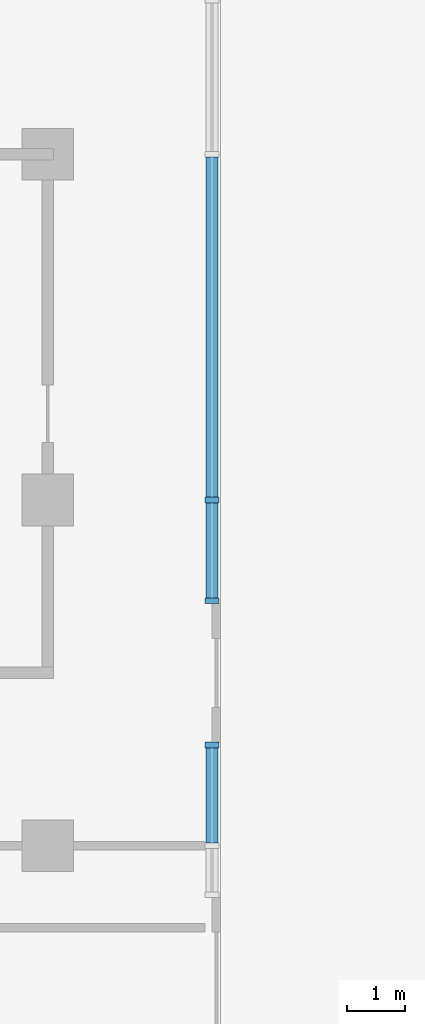
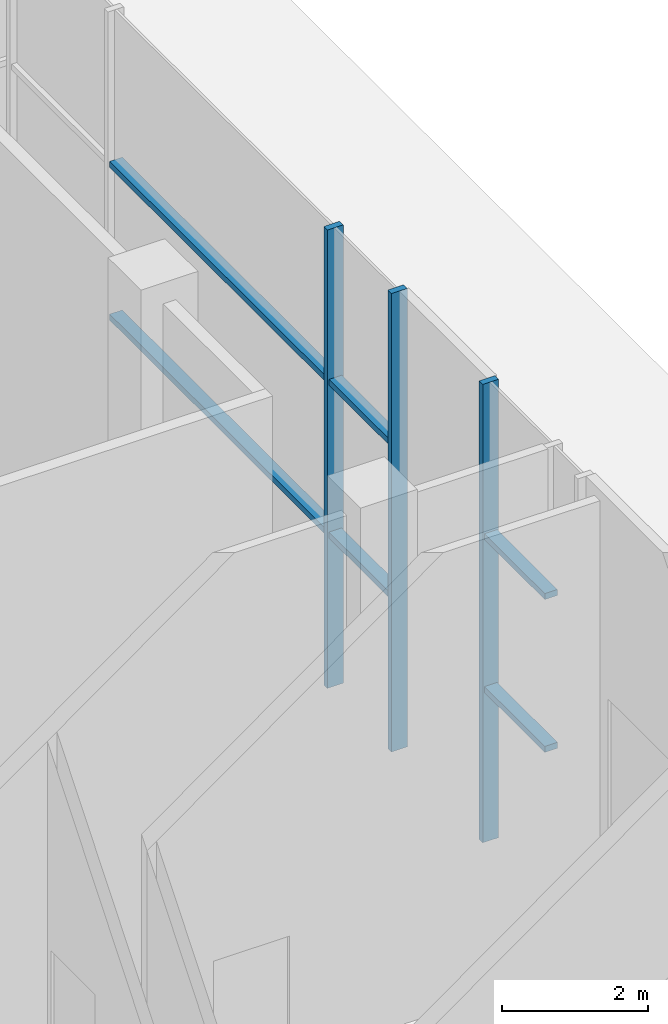
# One storey, part 6 of 29: 9 members, 2 elements without a shape of their own.
"""IFC4 building model written with IfcOpenShell, lengths in metres."""

from ifc_helpers import new_model, si_unit, direction, frame, origin, origin_2d, place, context, subcontext, project, spatial, rectangle, extrude, material, material_profile, profile_set, type_object, element, aggregate, save


model = new_model("IFC4")

# Units and contexts
model_context = context("Model", 3, precision=1e-05, world=origin(), true_north=direction((0.0, 1.0)))
body_context = subcontext(model_context, "Body", "Model", "MODEL_VIEW")
ifc_project = project(units=[si_unit("LENGTHUNIT", "METRE"), si_unit("AREAUNIT", "SQUARE_METRE"), si_unit("VOLUMEUNIT", "CUBIC_METRE"), si_unit("PLANEANGLEUNIT", "RADIAN"), si_unit("MASSUNIT", "GRAM", prefix="KILO")], contexts=[model_context])

# Site, building, storey
site_placement = place(None, origin())
site = spatial("IfcSite", under=ifc_project, at=site_placement, CompositionType="ELEMENT")
building_placement = place(site_placement, origin())
building = spatial("IfcBuilding", under=site, at=building_placement, Name="Finial Court Residences", CompositionType="ELEMENT")
storey_placement = place(building_placement, origin())
storey = spatial("IfcBuildingStorey", under=building, at=storey_placement, Name="L00", CompositionType="ELEMENT", Elevation=0.0)

# Curtain wall, member
ifc_material = material(Name="Bronze anodised aluminium", Category="aluminium")
curtain_wall_type = type_object("IfcCurtainWallType", Name="Podium shopfront", PredefinedType="NOTDEFINED", material=ifc_material)
curtain_wall_1_placement = place(storey_placement, origin())
curtain_wall_1 = element("IfcCurtainWall", 1, at=curtain_wall_1_placement, inside=storey, type_object=curtain_wall_type, Name="E-L00-CW-E15", PredefinedType="NOTDEFINED")
ifc_material_profile_1 = material_profile(ifc_material, rectangle(XDim=0.25, YDim=0.10009765625, at=origin_2d()), Name="CW4 mullion 100 x 250")
ifc_profile_set_1 = profile_set([ifc_material_profile_1], Name="Bronze anodised aluminium")
member_type_1 = type_object("IfcMemberType", Name="CW4 mullion 100 x 250", PredefinedType="MULLION", material=ifc_profile_set_1)
member_1_placement = place(storey_placement, frame((61.35009765625, 21.25, 0.0), z_axis=(0.0, 0.0, 1.0), x_axis=(-1.0, 0.0, 0.0)))
member_1 = element("IfcMember", 2, at=member_1_placement, type_object=member_type_1, Name="CW4 mullion 3", PredefinedType="MULLION", context=body_context, shape_type="SweptSolid", body=[
    extrude(rectangle(XDim=0.25, YDim=0.10009765625, at=origin_2d()), origin(), (0.0, 0.0, 1.0), 7.64990234375),
])

# Curtain wall, members
curtain_wall_2_placement = place(storey_placement, origin())
curtain_wall_2 = element("IfcCurtainWall", 3, at=curtain_wall_2_placement, inside=storey, type_object=curtain_wall_type, Name="E-L00-CW-E16", PredefinedType="NOTDEFINED")
member_2_placement = place(storey_placement, frame((61.35009765625, 23.75, 0.0), z_axis=(0.0, 0.0, 1.0), x_axis=(-1.0, 0.0, 0.0)))
member_2 = element("IfcMember", 4, at=member_2_placement, type_object=member_type_1, Name="CW4 mullion 1", PredefinedType="MULLION", context=body_context, shape_type="SweptSolid", body=[
    extrude(rectangle(XDim=0.25, YDim=0.10009765625, at=origin_2d()), origin(), (0.0, 0.0, 1.0), 7.64990234375),
])
member_3_placement = place(storey_placement, frame((61.35009765625, 25.5, 0.0), z_axis=(0.0, 0.0, 1.0), x_axis=(-1.0, 0.0, 0.0)))
member_3 = element("IfcMember", 5, at=member_3_placement, type_object=member_type_1, Name="CW4 mullion 2", PredefinedType="MULLION", context=body_context, shape_type="SweptSolid", body=[
    extrude(rectangle(XDim=0.25, YDim=0.10009765625, at=origin_2d()), origin(), (0.0, 0.0, 1.0), 7.64990234375),
])

# Member
ifc_material_profile_2 = material_profile(ifc_material, rectangle(XDim=0.199951171875, YDim=0.10009765625, at=origin_2d()), Name="CW4 transom 100 x 200")
ifc_profile_set_2 = profile_set([ifc_material_profile_2], Name="Bronze anodised aluminium")
member_type_2 = type_object("IfcMemberType", Name="CW4 transom 100 x 200", PredefinedType="USERDEFINED", material=ifc_profile_set_2)
member_4_placement = place(storey_placement, frame((61.35009765625, 19.550048828125, 2.550048828125), z_axis=(0.0, 1.0, 0.0), x_axis=(-1.0, 0.0, 0.0)))
member_4 = element("IfcMember", 6, at=member_4_placement, type_object=member_type_2, Name="CW4 transom 2.1", ObjectType="TRANSOM", PredefinedType="USERDEFINED", context=body_context, shape_type="SweptSolid", body=[
    extrude(rectangle(XDim=0.199951171875, YDim=0.10009765625, at=origin_2d()), origin(), (0.0, 0.0, 1.0), 1.64990234375),
])

member_5_placement = place(storey_placement, frame((61.35009765625, 19.550048828125, 5.10009765625), z_axis=(0.0, 1.0, 0.0), x_axis=(-1.0, 0.0, 0.0)))
member_5 = element("IfcMember", 7, at=member_5_placement, type_object=member_type_2, Name="CW4 transom 2.2", ObjectType="TRANSOM", PredefinedType="USERDEFINED", context=body_context, shape_type="SweptSolid", body=[
    extrude(rectangle(XDim=0.199951171875, YDim=0.10009765625, at=origin_2d()), origin(), (0.0, 0.0, 1.0), 1.64990234375),
])

aggregate(curtain_wall_1, [member_1, member_4, member_5])

member_6_placement = place(storey_placement, frame((61.35009765625, 23.800048828125, 2.550048828125), z_axis=(0.0, 1.0, 0.0), x_axis=(-1.0, 0.0, 0.0)))
member_6 = element("IfcMember", 8, at=member_6_placement, type_object=member_type_2, Name="CW4 transom 1.1", ObjectType="TRANSOM", PredefinedType="USERDEFINED", context=body_context, shape_type="SweptSolid", body=[
    extrude(rectangle(XDim=0.199951171875, YDim=0.10009765625, at=origin_2d()), origin(), (0.0, 0.0, 1.0), 1.64990234375),
])

member_7_placement = place(storey_placement, frame((61.35009765625, 23.800048828125, 5.10009765625), z_axis=(0.0, 1.0, 0.0), x_axis=(-1.0, 0.0, 0.0)))
member_7 = element("IfcMember", 9, at=member_7_placement, type_object=member_type_2, Name="CW4 transom 1.2", ObjectType="TRANSOM", PredefinedType="USERDEFINED", context=body_context, shape_type="SweptSolid", body=[
    extrude(rectangle(XDim=0.199951171875, YDim=0.10009765625, at=origin_2d()), origin(), (0.0, 0.0, 1.0), 1.64990234375),
])

member_8_placement = place(storey_placement, frame((61.35009765625, 25.550048828125, 2.550048828125), z_axis=(0.0, 1.0, 0.0), x_axis=(-1.0, 0.0, 0.0)))
member_8 = element("IfcMember", 10, at=member_8_placement, type_object=member_type_2, Name="CW4 transom 2.1", ObjectType="TRANSOM", PredefinedType="USERDEFINED", context=body_context, shape_type="SweptSolid", body=[
    extrude(rectangle(XDim=0.199951171875, YDim=0.10009765625, at=origin_2d()), origin(), (0.0, 0.0, 1.0), 5.89990234375),
])

member_9_placement = place(storey_placement, frame((61.35009765625, 25.550048828125, 5.10009765625), z_axis=(0.0, 1.0, 0.0), x_axis=(-1.0, 0.0, 0.0)))
member_9 = element("IfcMember", 11, at=member_9_placement, type_object=member_type_2, Name="CW4 transom 2.2", ObjectType="TRANSOM", PredefinedType="USERDEFINED", context=body_context, shape_type="SweptSolid", body=[
    extrude(rectangle(XDim=0.199951171875, YDim=0.10009765625, at=origin_2d()), origin(), (0.0, 0.0, 1.0), 5.89990234375),
])

aggregate(curtain_wall_2, [member_2, member_3, member_6, member_7, member_8, member_9])

save(model, "model.ifc")
